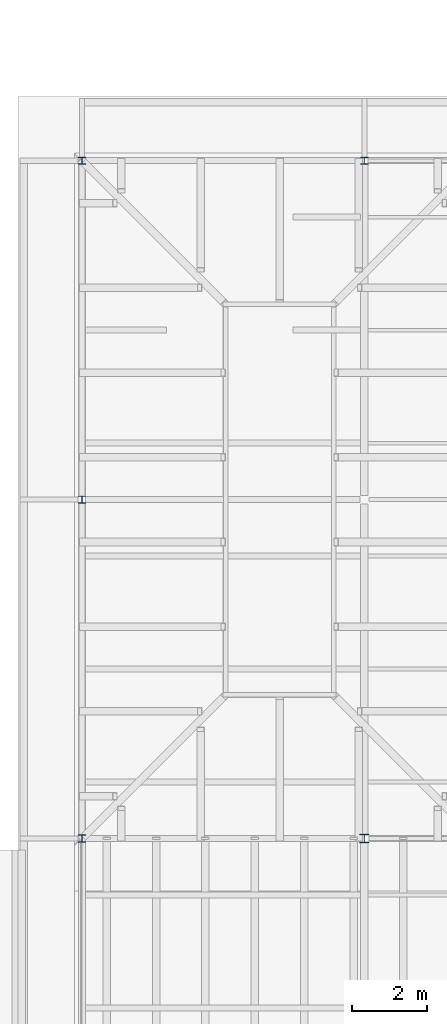
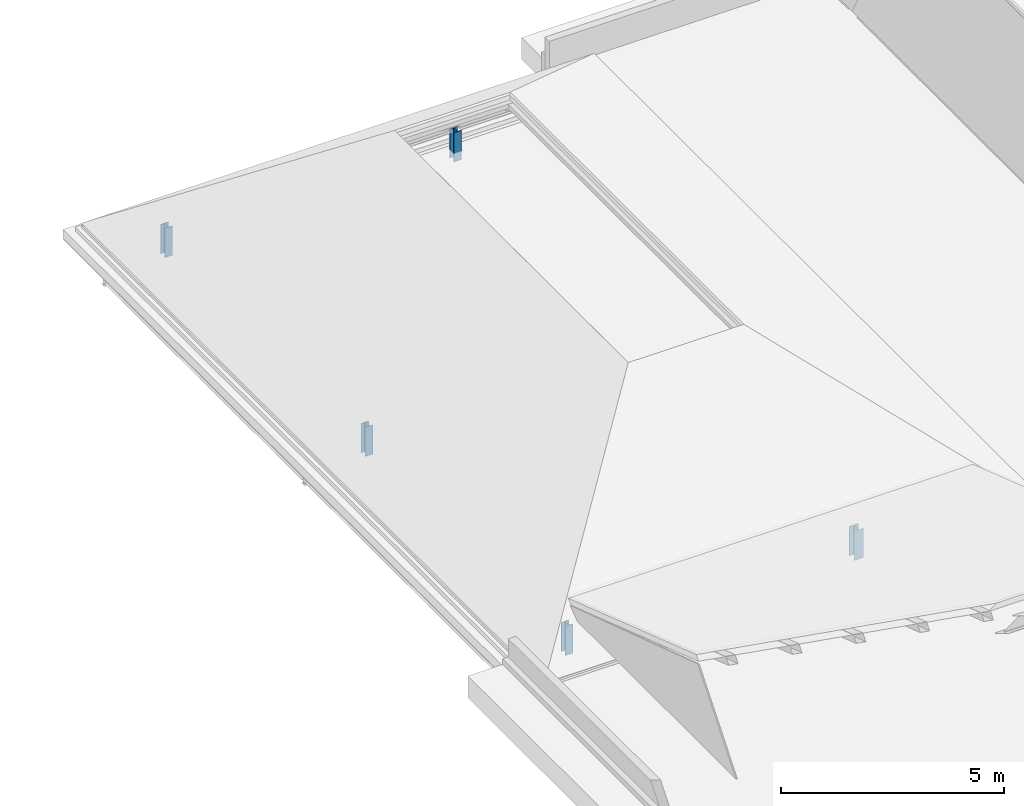
# One storey, part 11 of 121: 5 columns.
"""IFC4 building model written with IfcOpenShell, lengths in metres."""

from ifc_helpers import new_model, si_unit, direction, frame, origin, origin_2d, place, context, subcontext, project, spatial, i_section, extrude, material, material_profile, profile_set, type_object, element, save


model = new_model("IFC4")

# Units and contexts
model_context = context("Model", 3, precision=1e-05, world=origin(), true_north=direction((0.0, 1.0)))
body_context = subcontext(model_context, "Body", "Model", "MODEL_VIEW")
ifc_project = project(units=[si_unit("LENGTHUNIT", "METRE"), si_unit("AREAUNIT", "SQUARE_METRE"), si_unit("VOLUMEUNIT", "CUBIC_METRE"), si_unit("PLANEANGLEUNIT", "RADIAN"), si_unit("MASSUNIT", "GRAM", prefix="KILO")], contexts=[model_context])

# Site, building, storey
site_placement = place(None, origin())
site = spatial("IfcSite", under=ifc_project, at=site_placement, CompositionType="ELEMENT")
building_placement = place(site_placement, origin())
building = spatial("IfcBuilding", under=site, at=building_placement, Name="Golden Quay Civic Hall", CompositionType="ELEMENT")
storey_placement = place(building_placement, frame((0.0, 0.0, 18.60009765625)))
storey = spatial("IfcBuildingStorey", under=building, at=storey_placement, Name="L04", CompositionType="ELEMENT", Elevation=18.60009765625)

# Columns
ifc_material_1 = material(Name="Steel S355", Category="steel")
ifc_material_profile_1 = material_profile(ifc_material_1, i_section(OverallWidth=0.199951171875, OverallDepth=0.18994140625, WebThickness=0.006591796875, FlangeThickness=0.010009765625, FilletRadius=0.01806640625, at=origin_2d()), Name="HEA 200")
ifc_profile_set_1 = profile_set([ifc_material_profile_1], Name="Steel S355")
column_type_1 = type_object("IfcColumnType", Name="Steel roof post HEA 200", PredefinedType="COLUMN", material=ifc_profile_set_1)
for number, where, z_axis, x_axis, name in (
    (1, (54.0, 36.0, -0.25), (0.0, 0.0, 1.0), (1.0, 0.0, 0.0), "Roof post 54/36"),
    (2, (54.0, 45.0, -0.25), (0.0, 0.0, 1.0), (1.0, 0.0, 0.0), "Roof post 54/45"),
    (3, (54.0, 54.0, -0.25), (0.0, 0.0, 1.0), (1.0, 0.0, 0.0), "Roof post 54/54"),
    (4, (61.5, 54.0, -0.25), (0.0, 0.0, 1.0), (1.0, 0.0, 0.0), "Roof post 61.5/54"),
):
    element("IfcColumn", number, at=place(storey_placement, frame(where, z_axis=z_axis, x_axis=x_axis)), inside=storey, type_object=column_type_1, Name=name, PredefinedType="COLUMN", context=body_context, shape_type="SweptSolid", body=[
        extrude(i_section(OverallWidth=0.199951171875, OverallDepth=0.18994140625, WebThickness=0.006591796875, FlangeThickness=0.010009765625, FilletRadius=0.01806640625, at=origin_2d()), origin(), (0.0, 0.0, 1.0), 0.804931640625),
    ])
ifc_material_2 = material(Name="Steel S355", Category="steel")
ifc_material_profile_2 = material_profile(ifc_material_2, i_section(OverallWidth=0.239990234375, OverallDepth=0.22998046875, WebThickness=0.007568359375, FlangeThickness=0.011962890625, FilletRadius=0.02099609375, at=origin_2d()), Name="HEA 240")
ifc_profile_set_2 = profile_set([ifc_material_profile_2], Name="Steel S355")
column_type_2 = type_object("IfcColumnType", Name="Steel roof post HEA 240", PredefinedType="COLUMN", material=ifc_profile_set_2)
column_placement = place(storey_placement, frame((61.5, 36.0, -0.25), z_axis=(0.0, 0.0, 1.0), x_axis=(1.0, 0.0, 0.0)))
element("IfcColumn", 5, at=column_placement, inside=storey, type_object=column_type_2, Name="Roof post 61.5/36", PredefinedType="COLUMN", context=body_context, shape_type="SweptSolid", body=[
    extrude(i_section(OverallWidth=0.239990234375, OverallDepth=0.22998046875, WebThickness=0.007568359375, FlangeThickness=0.011962890625, FilletRadius=0.02099609375, at=origin_2d()), origin(), (0.0, 0.0, 1.0), 0.804931640625),
])

save(model, "model.ifc")
